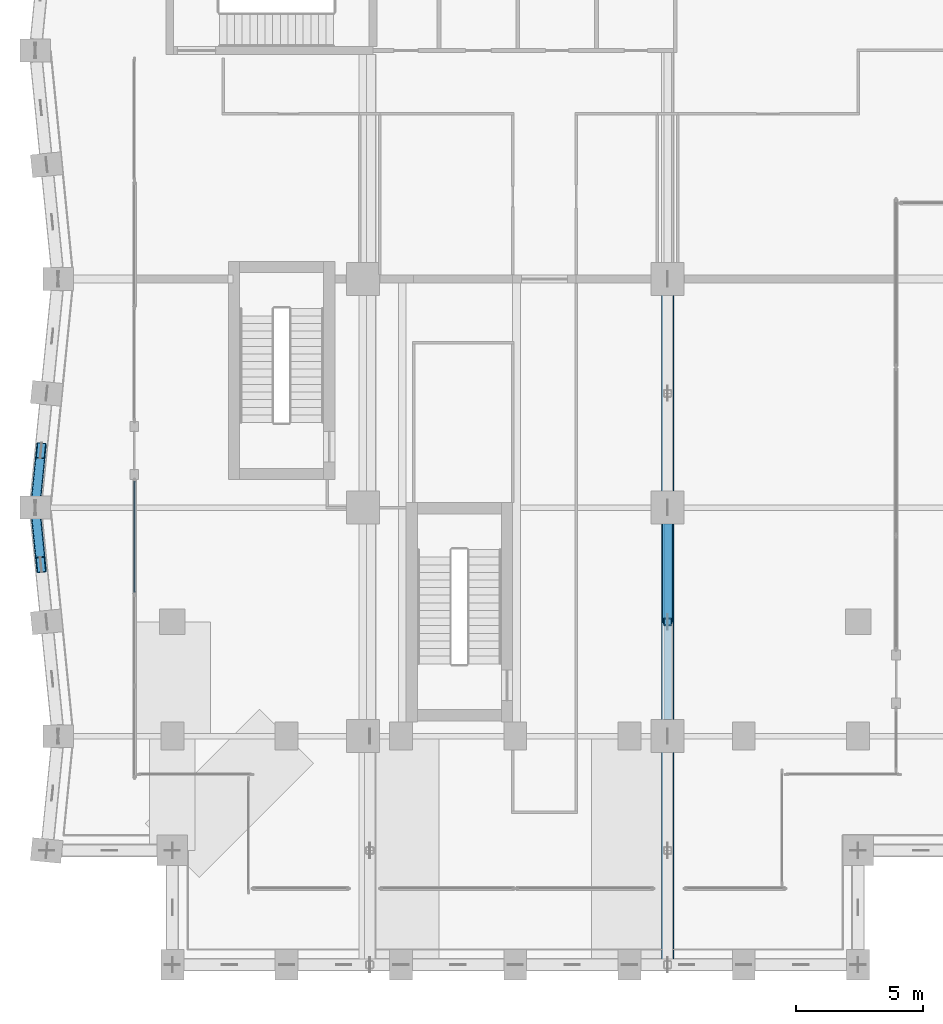
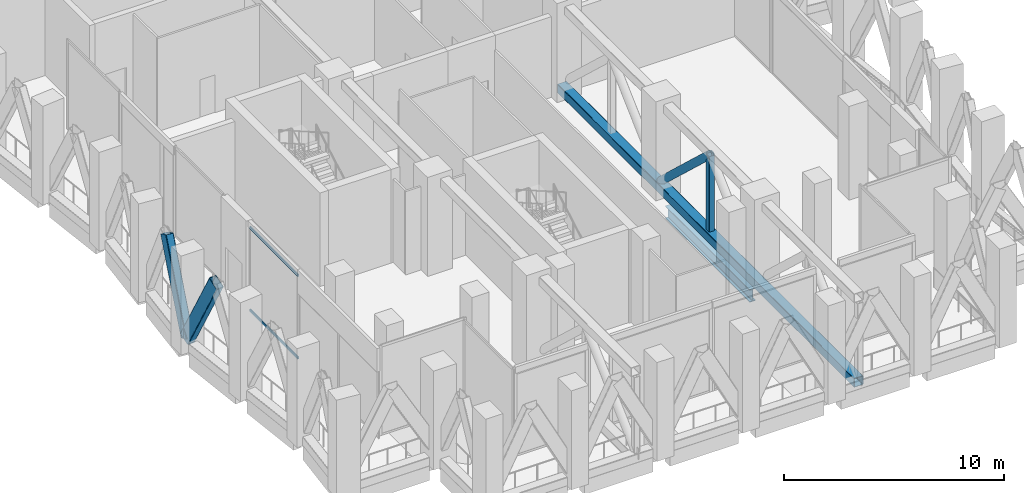
# One storey, part 4 of 37: 7 members, 1 beam, 1 element without a shape of its own.
"""IFC4 building model written with IfcOpenShell, lengths in metres."""

import ifcopenshell
import ifcopenshell.guid

model = None  # the IFC model being written
_history = None  # IfcOwnerHistory: only IFC2X3 demands one
_inside = {}  # id of a spatial element -> (the spatial element, [elements in it])
_under = {}  # id of a project, library or spatial element -> (it, [spatial elements below it])
_declared = {}  # id of a project -> (the project, [libraries it declares])
_typed = {}  # id of a type object -> (the type object, [elements of that type])
_made_of = {}  # id of a material, layer set ... -> (it, [elements and type objects made of it])


def new_model(schema):
    """Start an empty IFC model of exactly this schema.

    Asked for "IFC4X3", IfcOpenShell would pick the latest addendum, in which some entities
    have other attributes; the version numbers below select the first issue.
    IFC2X3 requires an IfcOwnerHistory on every rooted entity: one is made here for all.
    """
    global model, _history
    if schema == "IFC4X3":
        model = ifcopenshell.file(schema_version=(4, 3, 0, 0))
    else:
        model = ifcopenshell.file(schema=schema)
    _inside.clear()
    _under.clear()
    _declared.clear()
    _typed.clear()
    _made_of.clear()
    _history = None
    if model.schema == "IFC2X3":
        org = make("IfcOrganization", Name="unknown")
        user = make(
            "IfcPersonAndOrganization",
            ThePerson=make("IfcPerson", FamilyName="unknown"),
            TheOrganization=org,
        )
        app = make(
            "IfcApplication",
            ApplicationDeveloper=org,
            Version="unknown",
            ApplicationFullName="unknown",
            ApplicationIdentifier="unknown",
        )
        _history = make(
            "IfcOwnerHistory",
            OwningUser=user,
            OwningApplication=app,
            ChangeAction="ADDED",
            CreationDate=0,
        )
    return model


def make(cls, **values):
    """One entity of the class cls with the attributes given. An attribute that is None is left unset."""
    return model.create_entity(
        cls, **{name: value for name, value in values.items() if value is not None}
    )


def rooted(cls, **values):
    """An entity with a GlobalId (a new one), such as an element, a storey or a relation."""
    return make(cls, GlobalId=ifcopenshell.guid.new(), OwnerHistory=_history, **values)


def si_unit(unit_type, name, prefix=None):
    """IfcSIUnit, for example si_unit("LENGTHUNIT", "METRE", prefix="MILLI")."""
    return make("IfcSIUnit", UnitType=unit_type, Prefix=prefix, Name=name)


def assignment(units):
    """IfcUnitAssignment: the units of a project."""
    return None if units is None else make("IfcUnitAssignment", Units=units)


def point(xyz):
    """IfcCartesianPoint."""
    return None if xyz is None else make("IfcCartesianPoint", Coordinates=xyz)


def direction(xyz):
    """IfcDirection."""
    return None if xyz is None else make("IfcDirection", DirectionRatios=xyz)


def frame(location, z_axis=None, x_axis=None):
    """IfcAxis2Placement3D, a coordinate frame: its origin and axes. An axis left out is left unset."""
    return make(
        "IfcAxis2Placement3D",
        Location=point(location),
        Axis=direction(z_axis),
        RefDirection=direction(x_axis),
    )


def frame_2d(location, x_axis=None):
    """IfcAxis2Placement2D, a coordinate frame in the plane: its origin and x axis."""
    return make(
        "IfcAxis2Placement2D", Location=point(location), RefDirection=direction(x_axis)
    )


def origin():
    """The frame at (0, 0, 0) with its axes left unset."""
    return frame((0.0, 0.0, 0.0))


def origin_2d():
    """The frame at (0, 0) in the plane with its x axis left unset."""
    return frame_2d((0.0, 0.0))


def place(relative_to, where):
    """IfcLocalPlacement: puts the frame where relative to a parent placement (None: the world)."""
    return make(
        "IfcLocalPlacement", PlacementRelTo=relative_to, RelativePlacement=where
    )


def context(
    kind, dimensions, precision=None, world=None, true_north=None, identifier=None
):
    """IfcGeometricRepresentationContext, for example the 3D "Model" context."""
    return make(
        "IfcGeometricRepresentationContext",
        ContextIdentifier=identifier,
        ContextType=kind,
        CoordinateSpaceDimension=dimensions,
        Precision=precision,
        WorldCoordinateSystem=world,
        TrueNorth=true_north,
    )


def subcontext(parent, identifier, kind, view, scale=None):
    """IfcGeometricRepresentationSubContext, for example "Body" below "Model"."""
    return make(
        "IfcGeometricRepresentationSubContext",
        ContextIdentifier=identifier,
        ContextType=kind,
        ParentContext=parent,
        TargetScale=scale,
        TargetView=view,
    )


def project(units=None, contexts=None):
    """IfcProject with its units and contexts."""
    return rooted(
        "IfcProject",
        Name="project",
        RepresentationContexts=contexts,
        UnitsInContext=assignment(units),
    )


def spatial(cls, under=None, at=None, **own):
    """A site, building, storey or space (cls), placed at a placement, below another one or the project."""
    s = rooted(cls, ObjectPlacement=at, **own)
    if under is not None:
        _under.setdefault(under.id(), (under, []))[1].append(s)
    return s


def profile(cls, at=None, kind="AREA", **sizes):
    """A parametric profile (cls). Its sizes go by their IFC names, for example OverallWidth=200.0."""
    return make(cls, ProfileType=kind, Position=at, **sizes)


def rectangle(**sizes):
    """IfcRectangleProfileDef."""
    return profile("IfcRectangleProfileDef", **sizes)


def hollow_rectangle(**sizes):
    """IfcRectangleHollowProfileDef."""
    return profile("IfcRectangleHollowProfileDef", **sizes)


def hollow_circle(**sizes):
    """IfcCircleHollowProfileDef."""
    return profile("IfcCircleHollowProfileDef", **sizes)


def i_section(**sizes):
    """IfcIShapeProfileDef."""
    return profile("IfcIShapeProfileDef", **sizes)


def extrude(swept, where, along, depth):
    """IfcExtrudedAreaSolid: the profile swept, set in the frame where, extruded along a direction by depth."""
    return make(
        "IfcExtrudedAreaSolid",
        SweptArea=swept,
        Position=where,
        ExtrudedDirection=direction(along),
        Depth=depth,
    )


def shape(context_of_items, identifier, shape_type, items):
    """IfcShapeRepresentation: the items that make up one representation, for example the "Body"."""
    return make(
        "IfcShapeRepresentation",
        ContextOfItems=context_of_items,
        RepresentationIdentifier=identifier,
        RepresentationType=shape_type,
        Items=items,
    )


def material(Name=None, Category=None):
    """IfcMaterial."""
    return make("IfcMaterial", Name=Name, Category=Category)


def material_profile(
    of_material, cross_section, Name=None, Category=None, Priority=None
):
    """IfcMaterialProfile: a cross section and its material."""
    return make(
        "IfcMaterialProfile",
        Name=Name,
        Material=of_material,
        Profile=cross_section,
        Priority=Priority,
        Category=Category,
    )


def profile_set(profiles, Name=None, composite=None):
    """IfcMaterialProfileSet."""
    return make(
        "IfcMaterialProfileSet",
        Name=Name,
        MaterialProfiles=profiles,
        CompositeProfile=composite,
    )


def made_of(thing, what):
    """Note that an element or type object is made of a material, layer set ...; save() writes the relation."""
    if what is not None:
        _made_of.setdefault(what.id(), (what, []))[1].append(thing)
    return thing


def type_object(cls, material=None, **own):
    """A type object (cls), such as IfcWallType, which elements share."""
    return made_of(rooted(cls, **own), material)


def element(
    cls,
    number,
    at=None,
    inside=None,
    cuts=None,
    type_object=None,
    material=None,
    context=None,
    identifier="Body",
    shape_type=None,
    held_by="IfcProductDefinitionShape",
    body=None,
    shapes=None,
    **own,
):
    """One element of the class cls, such as IfcWall. Its Tag is "e" and its number.

    at: its placement. inside: the storey or other place that contains it. cuts: it is an
    opening in that element (IfcRelVoidsElement). A single representation is given by context,
    identifier, shape_type and body (its items); several are given by shapes. held_by: the class
    of the entity that holds the representations. save() writes the other relations.
    """
    e = rooted(cls, Tag="e%d" % number, ObjectPlacement=at, **own)
    if body is not None:
        shapes = [shape(context, identifier, shape_type, body)]
    if shapes is not None:
        e.Representation = make(held_by, Representations=shapes)
    if inside is not None:
        _inside.setdefault(inside.id(), (inside, []))[1].append(e)
    if cuts is not None:
        rooted(
            "IfcRelVoidsElement", RelatingBuildingElement=cuts, RelatedOpeningElement=e
        )
    if type_object is not None:
        _typed.setdefault(type_object.id(), (type_object, []))[1].append(e)
    return made_of(e, material)


def aggregate(whole, parts):
    """IfcRelAggregates: a whole, such as a stair, and the parts it consists of."""
    return rooted("IfcRelAggregates", RelatingObject=whole, RelatedObjects=parts)


def save(model, path):
    """Write the relations noted so far, then the file.

    IfcRelAggregates (storeys below a building ...), IfcRelContainedInSpatialStructure (elements
    in a storey), IfcRelDefinesByType, IfcRelAssociatesMaterial and IfcRelDeclares: one each for
    every whole, place, type object, material and project.
    """
    for whole, parts in _under.values():
        aggregate(whole, parts)
    for where, things in _inside.values():
        rooted(
            "IfcRelContainedInSpatialStructure",
            RelatedElements=things,
            RelatingStructure=where,
        )
    for kind, things in _typed.values():
        rooted("IfcRelDefinesByType", RelatedObjects=things, RelatingType=kind)
    for what, things in _made_of.values():
        rooted("IfcRelAssociatesMaterial", RelatedObjects=things, RelatingMaterial=what)
    for by, libraries in _declared.values():
        rooted("IfcRelDeclares", RelatingContext=by, RelatedDefinitions=libraries)
    model.write(path)


model = new_model("IFC4")

# Units and contexts
model_context = context("Model", 3, precision=1e-05, world=origin(), true_north=direction((0.0, 1.0)))
body_context = subcontext(model_context, "Body", "Model", "MODEL_VIEW")
ifc_project = project(units=[si_unit("LENGTHUNIT", "METRE"), si_unit("AREAUNIT", "SQUARE_METRE"), si_unit("VOLUMEUNIT", "CUBIC_METRE"), si_unit("PLANEANGLEUNIT", "RADIAN"), si_unit("MASSUNIT", "GRAM", prefix="KILO")], contexts=[model_context])

# Site, building, storey
site_placement = place(None, origin())
site = spatial("IfcSite", under=ifc_project, at=site_placement, CompositionType="ELEMENT")
building_placement = place(site_placement, origin())
building = spatial("IfcBuilding", under=site, at=building_placement, Name="Brondeck Convention Tower", CompositionType="ELEMENT")
storey_placement = place(building_placement, frame((0.0, 0.0, 137.89990234375)))
storey = spatial("IfcBuildingStorey", under=building, at=storey_placement, Name="L33", CompositionType="ELEMENT", Elevation=137.89990234375)

# Curtain wall, members
ifc_material_1 = material(Name="Aluminium, bronze anodised", Category="aluminium")
curtain_wall_type = type_object("IfcCurtainWallType", Name="Sky lobby curtain wall", PredefinedType="NOTDEFINED", material=ifc_material_1)
curtain_wall_placement = place(storey_placement, origin())
curtain_wall = element("IfcCurtainWall", 1, at=curtain_wall_placement, inside=storey, type_object=curtain_wall_type, Name="ENV-L33-032-CW30", PredefinedType="NOTDEFINED")
ifc_material_profile_1 = material_profile(ifc_material_1, rectangle(XDim=0.06005859375, YDim=0.139892578125, at=origin_2d()), Name="CW3 transom")
ifc_profile_set_1 = profile_set([ifc_material_profile_1], Name="Aluminium, bronze anodised")
member_type_1 = type_object("IfcMemberType", Name="CW3 transom", PredefinedType="USERDEFINED", material=ifc_profile_set_1)
member_1_placement = place(storey_placement, frame((3.0, 14.659912109375, 0.030029296875), z_axis=(0.0, 1.0, 0.0), x_axis=(-1.0, 0.0, 0.0)))
member_1 = element("IfcMember", 2, at=member_1_placement, type_object=member_type_1, Name="CW3 transom 1.1", ObjectType="TRANSOM", PredefinedType="USERDEFINED", context=body_context, shape_type="SweptSolid", body=[
    extrude(rectangle(XDim=0.06005859375, YDim=0.139892578125, at=origin_2d()), origin(), (0.0, 0.0, 1.0), 4.380126953125),
])
member_2_placement = place(storey_placement, frame((3.0, 14.659912109375, 4.6201171875), z_axis=(0.0, 1.0, 0.0), x_axis=(-1.0, 0.0, 0.0)))
member_2 = element("IfcMember", 3, at=member_2_placement, type_object=member_type_1, Name="CW3 transom 1.2", ObjectType="TRANSOM", PredefinedType="USERDEFINED", context=body_context, shape_type="SweptSolid", body=[
    extrude(rectangle(XDim=0.06005859375, YDim=0.139892578125, at=origin_2d()), origin(), (0.0, 0.0, 1.0), 4.380126953125),
])
aggregate(curtain_wall, [member_1, member_2])

# Members
ifc_material_2 = material(Name="Steel S460", Category="steel")
ifc_material_profile_2 = material_profile(ifc_material_2, hollow_rectangle(XDim=0.39990234375, YDim=0.699951171875, WallThickness=0.030029296875, InnerFilletRadius=0.030029296875, OuterFilletRadius=0.06005859375, at=origin_2d()), Name="RHS 700x400x30")
ifc_profile_set_2 = profile_set([ifc_material_profile_2], Name="Steel S460")
member_type_2 = type_object("IfcMemberType", Name="Chevron brace RHS 700x400x30", PredefinedType="BRACE", material=ifc_profile_set_2)
for number, where, z_axis, x_axis, name in (
    (4, (-0.89990234375, 18.0, 0.5), (0.045863256892, 0.458931352356, 0.887287200117), (-0.995043602151, 0.099439578731, 0.0), "Belt truss BT-33-55 diagonal"),
    (5, (-0.89990234375, 18.0, 0.5), (0.045863256892, -0.458931352356, 0.887287200117), (0.995043602151, 0.099439578731, 0.0), "Belt truss BT-33-56 diagonal"),
):
    element("IfcMember", number, at=place(storey_placement, frame(where, z_axis=z_axis, x_axis=x_axis)), inside=storey, type_object=member_type_2, Name=name, PredefinedType="BRACE", context=body_context, shape_type="SweptSolid", body=[
        extrude(hollow_rectangle(XDim=0.39990234375, YDim=0.699951171875, WallThickness=0.030029296875, InnerFilletRadius=0.030029296875, OuterFilletRadius=0.06005859375, at=origin_2d()), origin(), (0.0, 0.0, 1.0), 4.902587890625),
    ])

# Beam
ifc_material_3 = material(Name="Steel S355", Category="steel")
ifc_material_profile_3 = material_profile(ifc_material_3, i_section(OverallWidth=0.300048828125, OverallDepth=0.699951171875, WebThickness=0.01708984375, FlangeThickness=0.031982421875, FilletRadius=0.027099609375, at=origin_2d()), Name="HEB 700")
ifc_profile_set_3 = profile_set([ifc_material_profile_3], Name="Steel S355")
beam_type = type_object("IfcBeamType", Name="Girder HEB 700", PredefinedType="BEAM", material=ifc_profile_set_3)
beam_placement = place(storey_placement, frame((24.0, 17.35009765625, -0.7998046875), z_axis=(0.0, -1.0, 0.0), x_axis=(1.0, 0.0, 0.0)))
element("IfcBeam", 6, at=beam_placement, inside=storey, type_object=beam_type, Name="STR-GR-L33-019", PredefinedType="BEAM", context=body_context, shape_type="SweptSolid", body=[
    extrude(i_section(OverallWidth=0.300048828125, OverallDepth=0.699951171875, WebThickness=0.01708984375, FlangeThickness=0.031982421875, FilletRadius=0.027099609375, at=origin_2d()), origin(), (0.0, 0.0, 1.0), 7.7001953125),
])

# Members
ifc_material_profile_4 = material_profile(ifc_material_2, hollow_rectangle(XDim=0.5, YDim=0.5, WallThickness=0.02490234375, InnerFilletRadius=0.02490234375, OuterFilletRadius=0.050048828125, at=origin_2d()), Name="RHS 500x500x25")
ifc_profile_set_4 = profile_set([ifc_material_profile_4], Name="Steel S460")
member_type_3 = type_object("IfcMemberType", Name="Truss chord RHS 500x500x25", PredefinedType="CHORD", material=ifc_profile_set_4)
member_3_placement = place(storey_placement, frame((24.0, 27.0, 0.25), z_axis=(0.0, -1.0, 0.0), x_axis=(1.0, 0.0, 0.0)))
element("IfcMember", 7, at=member_3_placement, inside=storey, type_object=member_type_3, Name="Outrigger truss OT-33-B2 chord", PredefinedType="CHORD", context=body_context, shape_type="SweptSolid", body=[
    extrude(hollow_rectangle(XDim=0.5, YDim=0.5, WallThickness=0.02490234375, InnerFilletRadius=0.02490234375, OuterFilletRadius=0.050048828125, at=origin_2d()), origin(), (0.0, 0.0, 1.0), 27.0),
])
ifc_material_profile_5 = material_profile(ifc_material_2, hollow_circle(Radius=0.203125, WallThickness=0.02490234375, at=origin_2d()), Name="CHS 406.4x25")
ifc_profile_set_5 = profile_set([ifc_material_profile_5], Name="Steel S460")
member_type_4 = type_object("IfcMemberType", Name="Truss diagonal CHS 406.4x25", PredefinedType="BRACE", material=ifc_profile_set_5)
member_4_placement = place(storey_placement, frame((24.0, 18.0, 0.5), z_axis=(0.0, -0.731039441158, 0.682335207557), x_axis=(1.0, 0.0, 0.0)))
element("IfcMember", 8, at=member_4_placement, inside=storey, type_object=member_type_4, Name="Outrigger truss OT-33-B2 diagonal", PredefinedType="BRACE", context=body_context, shape_type="SweptSolid", body=[
    extrude(hollow_circle(Radius=0.203125, WallThickness=0.02490234375, at=origin_2d()), origin(), (0.0, 0.0, 1.0), 6.155517578125),
])
ifc_material_profile_6 = material_profile(ifc_material_2, hollow_rectangle(XDim=0.300048828125, YDim=0.300048828125, WallThickness=0.01611328125, InnerFilletRadius=0.01611328125, OuterFilletRadius=0.031982421875, at=origin_2d()), Name="RHS 300x300x16")
ifc_profile_set_6 = profile_set([ifc_material_profile_6], Name="Steel S460")
member_type_5 = type_object("IfcMemberType", Name="Truss vertical RHS 300x300x16", PredefinedType="STRUT", material=ifc_profile_set_6)
member_5_placement = place(storey_placement, frame((24.0, 13.5, 0.5), z_axis=(0.0, 0.0, 1.0), x_axis=(1.0, 0.0, 0.0)))
element("IfcMember", 9, at=member_5_placement, inside=storey, type_object=member_type_5, Name="Outrigger truss OT-33-B2 vertical", PredefinedType="STRUT", context=body_context, shape_type="SweptSolid", body=[
    extrude(hollow_rectangle(XDim=0.300048828125, YDim=0.300048828125, WallThickness=0.01611328125, InnerFilletRadius=0.01611328125, OuterFilletRadius=0.031982421875, at=origin_2d()), origin(), (0.0, 0.0, 1.0), 4.2001953125),
])

save(model, "model.ifc")
